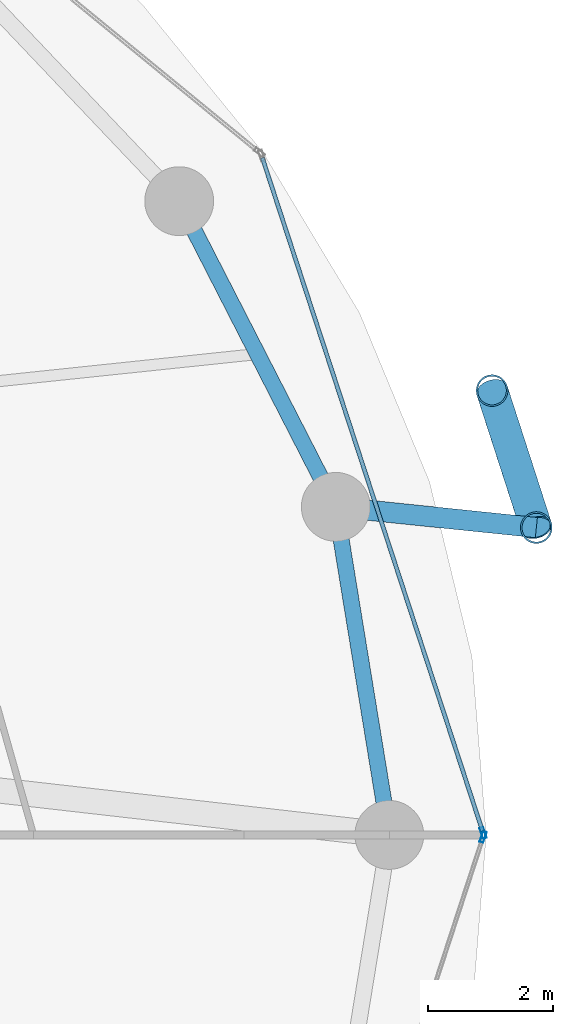
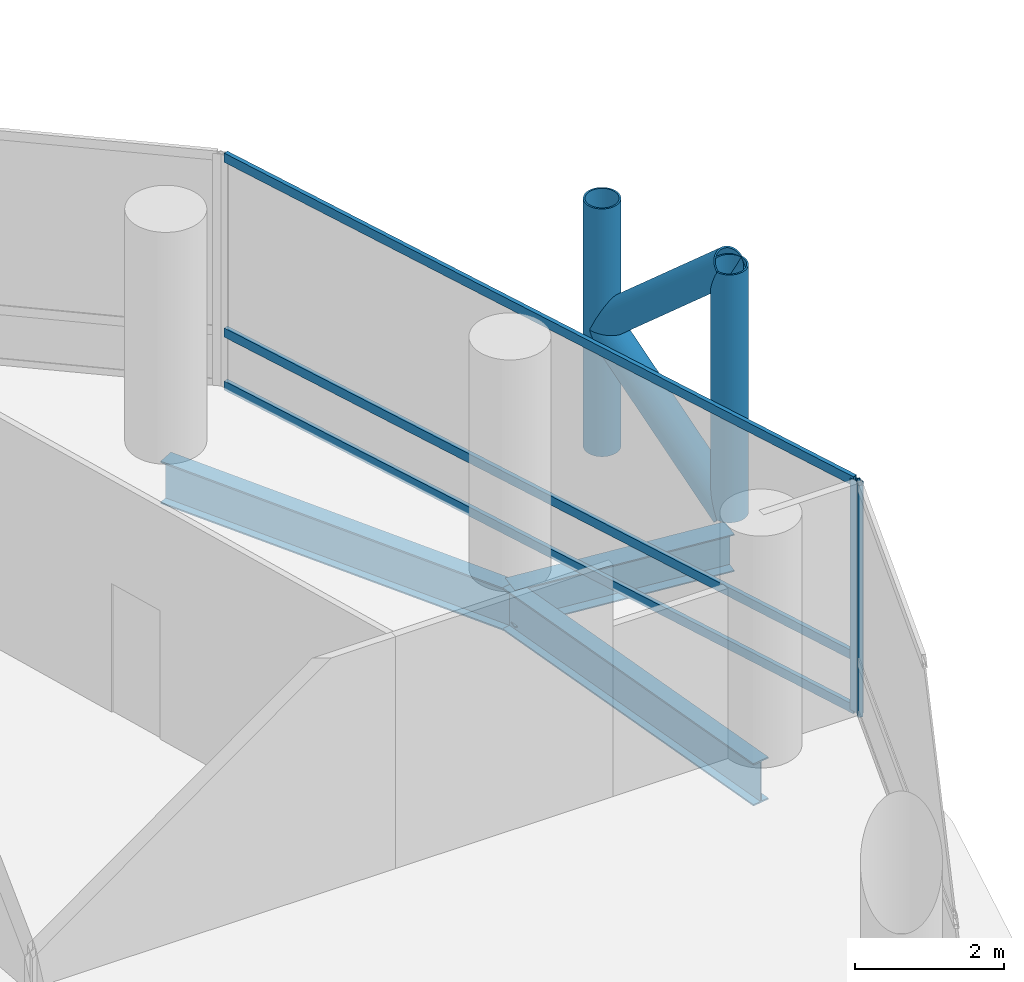
# One storey, part 12 of 25: 9 members, 3 beams, 2 elements without a shape of their own.
"""IFC4 building model written with IfcOpenShell, lengths in metres."""

from ifc_helpers import new_model, si_unit, direction, frame, origin, origin_2d, place, context, subcontext, project, spatial, hollow_rectangle, hollow_circle, i_section, extrude, material, layer, layer_set, material_profile, profile_set, type_object, element, aggregate, save


model = new_model("IFC4")

# Units and contexts
model_context = context("Model", 3, precision=1e-05, world=origin(), true_north=direction((0.0, 1.0)))
body_context = subcontext(model_context, "Body", "Model", "MODEL_VIEW")
ifc_project = project(units=[si_unit("LENGTHUNIT", "METRE"), si_unit("AREAUNIT", "SQUARE_METRE"), si_unit("VOLUMEUNIT", "CUBIC_METRE"), si_unit("PLANEANGLEUNIT", "RADIAN"), si_unit("MASSUNIT", "GRAM", prefix="KILO")], contexts=[model_context])

# Site, building, storey
site_placement = place(None, origin())
site = spatial("IfcSite", under=ifc_project, at=site_placement, CompositionType="ELEMENT")
building_placement = place(site_placement, origin())
building = spatial("IfcBuilding", under=site, at=building_placement, Name="Nuhasar Tower", CompositionType="ELEMENT")
storey_placement = place(building_placement, frame((0.0, 0.0, 49.35009765625)))
storey = spatial("IfcBuildingStorey", under=building, at=storey_placement, Name="L11", CompositionType="ELEMENT", Elevation=49.35009765625)

# Beams
ifc_material_1 = material(Name="Steel S355", Category="steel")
ifc_material_profile_1 = material_profile(ifc_material_1, i_section(OverallWidth=0.256103515625, OverallDepth=0.693115234375, WebThickness=0.014404296875, FlangeThickness=0.023681640625, at=origin_2d()), Name="W27X114")
ifc_profile_set_1 = profile_set([ifc_material_profile_1], Name="Steel S355")
beam_type_1 = type_object("IfcBeamType", Name="BM-RING-W27X114", PredefinedType="SPANDREL", material=ifc_profile_set_1)
beam_1_placement = place(storey_placement, frame((64.050048828125, 26.800048828125, -0.606201171875), z_axis=(-0.160826635486, 0.986982671235, 0.0), x_axis=(-0.986982671235, -0.160826635486, 0.0)))
element("IfcBeam", 1, at=beam_1_placement, inside=storey, type_object=beam_type_1, Name="L11 Perimeter Ring Spandrel 01", PredefinedType="SPANDREL", context=body_context, shape_type="SweptSolid", body=[
    extrude(i_section(OverallWidth=0.256103515625, OverallDepth=0.693115234375, WebThickness=0.014404296875, FlangeThickness=0.023681640625, at=origin_2d()), origin(), (0.0, 0.0, 1.0), 5.31005859375),
])
beam_2_placement = place(storey_placement, frame((63.196044921875, 32.041015625, -0.606201171875), z_axis=(-0.455930023905, 0.890015625314, 0.0), x_axis=(-0.890015625314, -0.455930023905, 0.0)))
element("IfcBeam", 2, at=beam_2_placement, inside=storey, type_object=beam_type_1, Name="L11 Perimeter Ring Spandrel 02", PredefinedType="SPANDREL", context=body_context, shape_type="SweptSolid", body=[
    extrude(i_section(OverallWidth=0.256103515625, OverallDepth=0.693115234375, WebThickness=0.014404296875, FlangeThickness=0.023681640625, at=origin_2d()), origin(), (0.0, 0.0, 1.0), 5.487548828125),
])
ifc_material_profile_2 = material_profile(ifc_material_1, i_section(OverallWidth=0.323974609375, OverallDepth=0.611083984375, WebThickness=0.0126953125, FlangeThickness=0.01904296875, at=origin_2d()), Name="W24X104")
ifc_profile_set_2 = profile_set([ifc_material_profile_2], Name="Steel S355")
beam_type_2 = type_object("IfcBeamType", Name="BM-TIE-W24X104", PredefinedType="BEAM", material=ifc_profile_set_2)
beam_3_placement = place(storey_placement, frame((63.196044921875, 32.041015625, -0.565185546875), z_axis=(0.994703825606, -0.102782777377, 0.0), x_axis=(0.102782777377, 0.994703825606, 0.0)))
element("IfcBeam", 3, at=beam_3_placement, inside=storey, type_object=beam_type_2, Name="L11 Exoskeleton Node Tie Beam 01", PredefinedType="BEAM", context=body_context, shape_type="SweptSolid", body=[
    extrude(i_section(OverallWidth=0.323974609375, OverallDepth=0.611083984375, WebThickness=0.0126953125, FlangeThickness=0.01904296875, at=origin_2d()), origin(), (0.0, 0.0, 1.0), 3.220947265625),
])

# Curtain wall, member
ifc_material_2 = material(Name="Aluminium 6063-T6", Category="aluminium")
ifc_layer = layer(ifc_material_2, 0.199951171875)
ifc_layer_set = layer_set([ifc_layer], Name="Aluminium 6063-T6")
curtain_wall_type = type_object("IfcCurtainWallType", Name="CW-Z1-OFF", PredefinedType="NOTDEFINED", material=ifc_layer_set)
curtain_wall_1_placement = place(storey_placement, origin())
curtain_wall_1 = element("IfcCurtainWall", 4, at=curtain_wall_1_placement, inside=storey, type_object=curtain_wall_type, Name="L11 Unitised Curtain Wall 01", PredefinedType="NOTDEFINED")
ifc_material_profile_3 = material_profile(ifc_material_2, hollow_rectangle(XDim=0.06494140625, YDim=0.179931640625, WallThickness=0.0048828125, at=origin_2d()), Name="CWM-2")
ifc_profile_set_3 = profile_set([ifc_material_profile_3], Name="Aluminium 6063-T6")
member_type_1 = type_object("IfcMemberType", Name="CW-MUL-S2", PredefinedType="MULLION", material=ifc_profile_set_3)
member_1_placement = place(storey_placement, frame((65.5498046875, 26.830810546875, 0.0), z_axis=(0.0, 0.0, 1.0), x_axis=(-0.950467534571, -0.310823849997, 0.0)))
member_1 = element("IfcMember", 5, at=member_1_placement, type_object=member_type_1, Name="CW-Z1 mullion 1", PredefinedType="MULLION", context=body_context, shape_type="SweptSolid", body=[
    extrude(hollow_rectangle(XDim=0.06494140625, YDim=0.179931640625, WallThickness=0.0048828125, at=origin_2d()), origin(), (0.0, 0.0, 1.0), 3.789794921875),
])

curtain_wall_2_placement = place(storey_placement, origin())
curtain_wall_2 = element("IfcCurtainWall", 6, at=curtain_wall_2_placement, inside=storey, type_object=curtain_wall_type, Name="L11 Unitised Curtain Wall 12", PredefinedType="NOTDEFINED")
member_2_placement = place(storey_placement, frame((65.5498046875, 26.76904296875, 0.0), z_axis=(0.0, 0.0, 1.0), x_axis=(-0.950467534571, 0.310823849997, 0.0)))
member_2 = element("IfcMember", 7, at=member_2_placement, type_object=member_type_1, Name="CW-Z1 mullion 2", PredefinedType="MULLION", context=body_context, shape_type="SweptSolid", body=[
    extrude(hollow_rectangle(XDim=0.06494140625, YDim=0.179931640625, WallThickness=0.0048828125, at=origin_2d()), origin(), (0.0, 0.0, 1.0), 3.789794921875),
])
aggregate(curtain_wall_2, [member_2])

# Member
ifc_material_profile_4 = material_profile(ifc_material_2, hollow_rectangle(XDim=0.06494140625, YDim=0.14990234375, WallThickness=0.00439453125, at=origin_2d()), Name="CWT-2")
ifc_profile_set_4 = profile_set([ifc_material_profile_4], Name="Aluminium 6063-T6")
member_type_2 = type_object("IfcMemberType", Name="CW-TRN-S2", PredefinedType="USERDEFINED", material=ifc_profile_set_4)
member_3_placement = place(storey_placement, frame((65.539794921875, 26.86181640625, 0.032470703125), z_axis=(-0.31082506089, 0.950467138581, 0.0), x_axis=(-0.950467138581, -0.31082506089, 0.0)))
member_3 = element("IfcMember", 8, at=member_3_placement, type_object=member_type_2, Name="CW-Z1 transom 1.1", ObjectType="TRANSOM", PredefinedType="USERDEFINED", context=body_context, shape_type="SweptSolid", body=[
    extrude(hollow_rectangle(XDim=0.06494140625, YDim=0.14990234375, WallThickness=0.00439453125, at=origin_2d()), origin(), (0.0, 0.0, 1.0), 11.31689453125),
])

member_4_placement = place(storey_placement, frame((65.539794921875, 26.86181640625, 0.89990234375), z_axis=(-0.31082506089, 0.950467138581, 0.0), x_axis=(-0.950467138581, -0.31082506089, 0.0)))
member_4 = element("IfcMember", 9, at=member_4_placement, type_object=member_type_2, Name="CW-Z1 transom 1.2", ObjectType="TRANSOM", PredefinedType="USERDEFINED", context=body_context, shape_type="SweptSolid", body=[
    extrude(hollow_rectangle(XDim=0.06494140625, YDim=0.14990234375, WallThickness=0.00439453125, at=origin_2d()), origin(), (0.0, 0.0, 1.0), 11.31689453125),
])

member_5_placement = place(storey_placement, frame((65.539794921875, 26.86181640625, 3.75732421875), z_axis=(-0.31082506089, 0.950467138581, 0.0), x_axis=(-0.950467138581, -0.31082506089, 0.0)))
member_5 = element("IfcMember", 10, at=member_5_placement, type_object=member_type_2, Name="CW-Z1 transom 1.3", ObjectType="TRANSOM", PredefinedType="USERDEFINED", context=body_context, shape_type="SweptSolid", body=[
    extrude(hollow_rectangle(XDim=0.06494140625, YDim=0.14990234375, WallThickness=0.00439453125, at=origin_2d()), origin(), (0.0, 0.0, 1.0), 11.31689453125),
])

aggregate(curtain_wall_1, [member_1, member_3, member_4, member_5])

# Members
ifc_material_3 = material(Name="Steel S460", Category="steel")
ifc_material_profile_5 = material_profile(ifc_material_3, hollow_circle(Radius=0.25390625, WallThickness=0.025390625, at=origin_2d()), Name="HSS508X25.4")
ifc_profile_set_5 = profile_set([ifc_material_profile_5], Name="Steel S460")
member_type_3 = type_object("IfcMemberType", Name="EXO-BRONZE-508", PredefinedType="BRACE", material=ifc_profile_set_5)
for number, where, z_axis, x_axis, name in (
    (11, (66.39990234375, 31.7099609375, 0.0), (0.0, 0.0, 1.0), (1.0, 0.0, 0.0), "L11 Exoskeleton Chord Column EC-01A"),
    (12, (65.69189453125, 33.89892578125, 0.0), (0.0, 0.0, 1.0), (1.0, 0.0, 0.0), "L11 Exoskeleton Chord Column EC-01B"),
):
    element("IfcMember", number, at=place(storey_placement, frame(where, z_axis=z_axis, x_axis=x_axis)), inside=storey, type_object=member_type_3, Name=name, PredefinedType="BRACE", context=body_context, shape_type="SweptSolid", body=[
        extrude(hollow_circle(Radius=0.25390625, WallThickness=0.025390625, at=origin_2d()), origin(), (0.0, 0.0, 1.0), 4.0498046875),
    ])
for number, where, z_axis, x_axis, name in (
    (13, (66.39990234375, 31.7099609375, 0.0), (-0.231011836313, 0.714224870475, 0.660693851854), (-0.951468282519, -0.307746823478, 0.0), "L11 Bronze Diagrid Brace W1-01"),
    (14, (65.69189453125, 33.89892578125, 2.02490234375), (0.231011836313, -0.714224870475, 0.660693851854), (0.951468282519, 0.307746823478, 0.0), "L11 Bronze Diagrid Brace W2-01"),
):
    element("IfcMember", number, at=place(storey_placement, frame(where, z_axis=z_axis, x_axis=x_axis)), inside=storey, type_object=member_type_3, Name=name, PredefinedType="BRACE", context=body_context, shape_type="SweptSolid", body=[
        extrude(hollow_circle(Radius=0.25390625, WallThickness=0.025390625, at=origin_2d()), origin(), (0.0, 0.0, 1.0), 3.064697265625),
    ])

save(model, "model.ifc")
